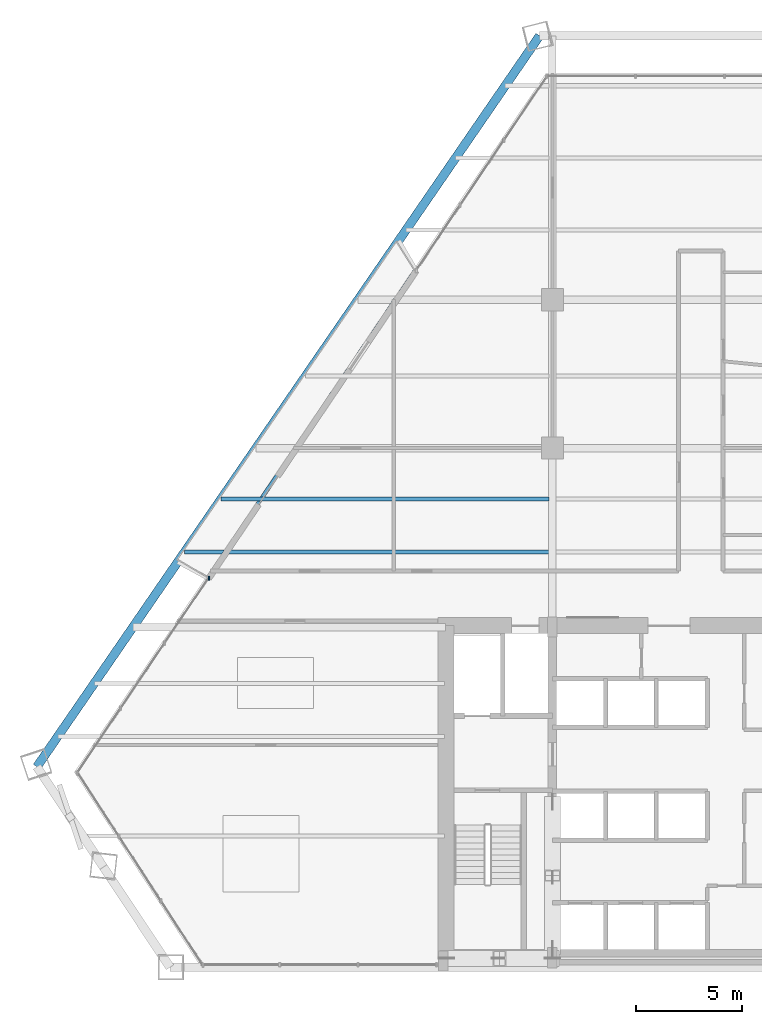
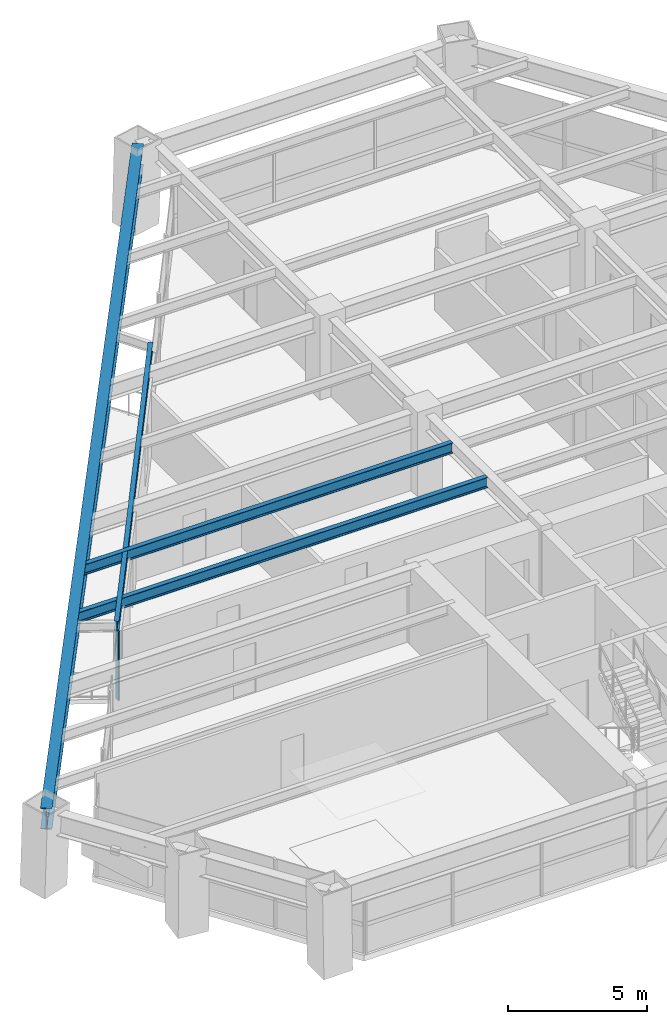
# One storey, part 4 of 14: 4 beams, 1 member, 1 element without a shape of its own.
"""IFC4 building model written with IfcOpenShell, lengths in metres."""

import ifcopenshell
import ifcopenshell.guid

model = None  # the IFC model being written
_history = None  # IfcOwnerHistory: only IFC2X3 demands one
_inside = {}  # id of a spatial element -> (the spatial element, [elements in it])
_under = {}  # id of a project, library or spatial element -> (it, [spatial elements below it])
_declared = {}  # id of a project -> (the project, [libraries it declares])
_typed = {}  # id of a type object -> (the type object, [elements of that type])
_made_of = {}  # id of a material, layer set ... -> (it, [elements and type objects made of it])


def new_model(schema):
    """Start an empty IFC model of exactly this schema.

    Asked for "IFC4X3", IfcOpenShell would pick the latest addendum, in which some entities
    have other attributes; the version numbers below select the first issue.
    IFC2X3 requires an IfcOwnerHistory on every rooted entity: one is made here for all.
    """
    global model, _history
    if schema == "IFC4X3":
        model = ifcopenshell.file(schema_version=(4, 3, 0, 0))
    else:
        model = ifcopenshell.file(schema=schema)
    _inside.clear()
    _under.clear()
    _declared.clear()
    _typed.clear()
    _made_of.clear()
    _history = None
    if model.schema == "IFC2X3":
        org = make("IfcOrganization", Name="unknown")
        user = make(
            "IfcPersonAndOrganization",
            ThePerson=make("IfcPerson", FamilyName="unknown"),
            TheOrganization=org,
        )
        app = make(
            "IfcApplication",
            ApplicationDeveloper=org,
            Version="unknown",
            ApplicationFullName="unknown",
            ApplicationIdentifier="unknown",
        )
        _history = make(
            "IfcOwnerHistory",
            OwningUser=user,
            OwningApplication=app,
            ChangeAction="ADDED",
            CreationDate=0,
        )
    return model


def make(cls, **values):
    """One entity of the class cls with the attributes given. An attribute that is None is left unset."""
    return model.create_entity(
        cls, **{name: value for name, value in values.items() if value is not None}
    )


def rooted(cls, **values):
    """An entity with a GlobalId (a new one), such as an element, a storey or a relation."""
    return make(cls, GlobalId=ifcopenshell.guid.new(), OwnerHistory=_history, **values)


def si_unit(unit_type, name, prefix=None):
    """IfcSIUnit, for example si_unit("LENGTHUNIT", "METRE", prefix="MILLI")."""
    return make("IfcSIUnit", UnitType=unit_type, Prefix=prefix, Name=name)


def assignment(units):
    """IfcUnitAssignment: the units of a project."""
    return None if units is None else make("IfcUnitAssignment", Units=units)


def point(xyz):
    """IfcCartesianPoint."""
    return None if xyz is None else make("IfcCartesianPoint", Coordinates=xyz)


def direction(xyz):
    """IfcDirection."""
    return None if xyz is None else make("IfcDirection", DirectionRatios=xyz)


def frame(location, z_axis=None, x_axis=None):
    """IfcAxis2Placement3D, a coordinate frame: its origin and axes. An axis left out is left unset."""
    return make(
        "IfcAxis2Placement3D",
        Location=point(location),
        Axis=direction(z_axis),
        RefDirection=direction(x_axis),
    )


def frame_2d(location, x_axis=None):
    """IfcAxis2Placement2D, a coordinate frame in the plane: its origin and x axis."""
    return make(
        "IfcAxis2Placement2D", Location=point(location), RefDirection=direction(x_axis)
    )


def origin():
    """The frame at (0, 0, 0) with its axes left unset."""
    return frame((0.0, 0.0, 0.0))


def origin_2d():
    """The frame at (0, 0) in the plane with its x axis left unset."""
    return frame_2d((0.0, 0.0))


def place(relative_to, where):
    """IfcLocalPlacement: puts the frame where relative to a parent placement (None: the world)."""
    return make(
        "IfcLocalPlacement", PlacementRelTo=relative_to, RelativePlacement=where
    )


def context(
    kind, dimensions, precision=None, world=None, true_north=None, identifier=None
):
    """IfcGeometricRepresentationContext, for example the 3D "Model" context."""
    return make(
        "IfcGeometricRepresentationContext",
        ContextIdentifier=identifier,
        ContextType=kind,
        CoordinateSpaceDimension=dimensions,
        Precision=precision,
        WorldCoordinateSystem=world,
        TrueNorth=true_north,
    )


def subcontext(parent, identifier, kind, view, scale=None):
    """IfcGeometricRepresentationSubContext, for example "Body" below "Model"."""
    return make(
        "IfcGeometricRepresentationSubContext",
        ContextIdentifier=identifier,
        ContextType=kind,
        ParentContext=parent,
        TargetScale=scale,
        TargetView=view,
    )


def project(units=None, contexts=None):
    """IfcProject with its units and contexts."""
    return rooted(
        "IfcProject",
        Name="project",
        RepresentationContexts=contexts,
        UnitsInContext=assignment(units),
    )


def spatial(cls, under=None, at=None, **own):
    """A site, building, storey or space (cls), placed at a placement, below another one or the project."""
    s = rooted(cls, ObjectPlacement=at, **own)
    if under is not None:
        _under.setdefault(under.id(), (under, []))[1].append(s)
    return s


def profile(cls, at=None, kind="AREA", **sizes):
    """A parametric profile (cls). Its sizes go by their IFC names, for example OverallWidth=200.0."""
    return make(cls, ProfileType=kind, Position=at, **sizes)


def rectangle(**sizes):
    """IfcRectangleProfileDef."""
    return profile("IfcRectangleProfileDef", **sizes)


def i_section(**sizes):
    """IfcIShapeProfileDef."""
    return profile("IfcIShapeProfileDef", **sizes)


def extrude(swept, where, along, depth):
    """IfcExtrudedAreaSolid: the profile swept, set in the frame where, extruded along a direction by depth."""
    return make(
        "IfcExtrudedAreaSolid",
        SweptArea=swept,
        Position=where,
        ExtrudedDirection=direction(along),
        Depth=depth,
    )


def shape(context_of_items, identifier, shape_type, items):
    """IfcShapeRepresentation: the items that make up one representation, for example the "Body"."""
    return make(
        "IfcShapeRepresentation",
        ContextOfItems=context_of_items,
        RepresentationIdentifier=identifier,
        RepresentationType=shape_type,
        Items=items,
    )


def source(mapping_origin, context_of_items, identifier, shape_type, items):
    """IfcRepresentationMap: a shape defined once, which mapped items show again and again."""
    return make(
        "IfcRepresentationMap",
        MappingOrigin=mapping_origin,
        MappedRepresentation=shape(context_of_items, identifier, shape_type, items),
    )


def transform(
    local_origin,
    x_axis=None,
    y_axis=None,
    z_axis=None,
    scale=None,
    scale2=None,
    scale3=None,
    uniform=True,
):
    """IfcCartesianTransformationOperator3D, or its non-uniform kind. x_axis, y_axis, z_axis: its Axis1, 2, 3."""
    if uniform:
        return make(
            "IfcCartesianTransformationOperator3D",
            Axis1=direction(x_axis),
            Axis2=direction(y_axis),
            LocalOrigin=point(local_origin),
            Scale=scale,
            Axis3=direction(z_axis),
        )
    return make(
        "IfcCartesianTransformationOperator3DnonUniform",
        Axis1=direction(x_axis),
        Axis2=direction(y_axis),
        LocalOrigin=point(local_origin),
        Scale=scale,
        Axis3=direction(z_axis),
        Scale2=scale2,
        Scale3=scale3,
    )


def mapped(mapping_source, mapping_target):
    """IfcMappedItem: shows the shape of a source again, moved by a transform."""
    return make(
        "IfcMappedItem", MappingSource=mapping_source, MappingTarget=mapping_target
    )


def material(Name=None, Category=None):
    """IfcMaterial."""
    return make("IfcMaterial", Name=Name, Category=Category)


def material_profile(
    of_material, cross_section, Name=None, Category=None, Priority=None
):
    """IfcMaterialProfile: a cross section and its material."""
    return make(
        "IfcMaterialProfile",
        Name=Name,
        Material=of_material,
        Profile=cross_section,
        Priority=Priority,
        Category=Category,
    )


def profile_set(profiles, Name=None, composite=None):
    """IfcMaterialProfileSet."""
    return make(
        "IfcMaterialProfileSet",
        Name=Name,
        MaterialProfiles=profiles,
        CompositeProfile=composite,
    )


def made_of(thing, what):
    """Note that an element or type object is made of a material, layer set ...; save() writes the relation."""
    if what is not None:
        _made_of.setdefault(what.id(), (what, []))[1].append(thing)
    return thing


def type_object(cls, material=None, **own):
    """A type object (cls), such as IfcWallType, which elements share."""
    return made_of(rooted(cls, **own), material)


def type_shapes(of_type, sources):
    """Give a type object the sources (RepresentationMaps) that its elements show as mapped items."""
    of_type.RepresentationMaps = sources


def element(
    cls,
    number,
    at=None,
    inside=None,
    cuts=None,
    type_object=None,
    material=None,
    context=None,
    identifier="Body",
    shape_type=None,
    held_by="IfcProductDefinitionShape",
    body=None,
    shapes=None,
    **own,
):
    """One element of the class cls, such as IfcWall. Its Tag is "e" and its number.

    at: its placement. inside: the storey or other place that contains it. cuts: it is an
    opening in that element (IfcRelVoidsElement). A single representation is given by context,
    identifier, shape_type and body (its items); several are given by shapes. held_by: the class
    of the entity that holds the representations. save() writes the other relations.
    """
    e = rooted(cls, Tag="e%d" % number, ObjectPlacement=at, **own)
    if body is not None:
        shapes = [shape(context, identifier, shape_type, body)]
    if shapes is not None:
        e.Representation = make(held_by, Representations=shapes)
    if inside is not None:
        _inside.setdefault(inside.id(), (inside, []))[1].append(e)
    if cuts is not None:
        rooted(
            "IfcRelVoidsElement", RelatingBuildingElement=cuts, RelatedOpeningElement=e
        )
    if type_object is not None:
        _typed.setdefault(type_object.id(), (type_object, []))[1].append(e)
    return made_of(e, material)


def aggregate(whole, parts):
    """IfcRelAggregates: a whole, such as a stair, and the parts it consists of."""
    return rooted("IfcRelAggregates", RelatingObject=whole, RelatedObjects=parts)


def save(model, path):
    """Write the relations noted so far, then the file.

    IfcRelAggregates (storeys below a building ...), IfcRelContainedInSpatialStructure (elements
    in a storey), IfcRelDefinesByType, IfcRelAssociatesMaterial and IfcRelDeclares: one each for
    every whole, place, type object, material and project.
    """
    for whole, parts in _under.values():
        aggregate(whole, parts)
    for where, things in _inside.values():
        rooted(
            "IfcRelContainedInSpatialStructure",
            RelatedElements=things,
            RelatingStructure=where,
        )
    for kind, things in _typed.values():
        rooted("IfcRelDefinesByType", RelatedObjects=things, RelatingType=kind)
    for what, things in _made_of.values():
        rooted("IfcRelAssociatesMaterial", RelatedObjects=things, RelatingMaterial=what)
    for by, libraries in _declared.values():
        rooted("IfcRelDeclares", RelatingContext=by, RelatedDefinitions=libraries)
    model.write(path)


model = new_model("IFC4")

# Units and contexts
model_context = context("Model", 3, precision=1e-05, world=origin(), true_north=direction((0.0, 1.0)))
body_context = subcontext(model_context, "Body", "Model", "MODEL_VIEW")
ifc_project = project(units=[si_unit("LENGTHUNIT", "METRE"), si_unit("AREAUNIT", "SQUARE_METRE"), si_unit("VOLUMEUNIT", "CUBIC_METRE"), si_unit("PLANEANGLEUNIT", "RADIAN"), si_unit("MASSUNIT", "GRAM", prefix="KILO")], contexts=[model_context])

# Site, building, storey
site_placement = place(None, origin())
site = spatial("IfcSite", under=ifc_project, at=site_placement, CompositionType="ELEMENT")
building_placement = place(site_placement, origin())
building = spatial("IfcBuilding", under=site, at=building_placement, Name="Varnakhor Terracotta Tower", CompositionType="ELEMENT")
storey_placement = place(building_placement, frame((0.0, 0.0, 87.699951171875)))
storey = spatial("IfcBuildingStorey", under=building, at=storey_placement, Name="L21", CompositionType="ELEMENT", Elevation=87.699951171875)

# Beams
ifc_material_1 = material(Name="Steel S355", Category="steel")
ifc_material_profile_1 = material_profile(ifc_material_1, i_section(OverallWidth=0.41796875, OverallDepth=0.927001953125, WebThickness=0.01904296875, FlangeThickness=0.031982421875, FilletRadius=0.01806640625, at=origin_2d()), Name="W36X231")
ifc_profile_set_1 = profile_set([ifc_material_profile_1], Name="Steel S355")
beam_type_1 = type_object("IfcBeamType", Name="BM-W36X231", PredefinedType="BEAM", material=ifc_profile_set_1)
shared_shape_1 = source(origin(), body_context, "Body", "SweptSolid", [
    extrude(i_section(OverallWidth=0.41796875, OverallDepth=0.927001953125, WebThickness=0.01904296875, FlangeThickness=0.031982421875, FilletRadius=0.01806640625, at=origin_2d()), origin(), (0.0, 0.0, 1.0), 41.86669921875),
])
beam_1_placement = place(storey_placement, frame((-6.10791015625, 43.959228515625, 2.986572265625), z_axis=(-0.566622121103, -0.823977773897, 0.0), x_axis=(0.823977773897, -0.566622121103, 0.0)))
element("IfcBeam", 1, at=beam_1_placement, inside=storey, type_object=beam_type_1, Name="L21 Perimeter Spandrel 6", PredefinedType="BEAM", context=body_context, shape_type="MappedRepresentation", body=[
    mapped(shared_shape_1, transform((0.0, 0.0, 0.0), scale=1.0)),
])
ifc_material_profile_2 = material_profile(ifc_material_1, i_section(OverallWidth=0.179931640625, OverallDepth=0.39990234375, WebThickness=0.008544921875, FlangeThickness=0.013427734375, FilletRadius=0.01806640625, at=origin_2d()), Name="IPE400")
ifc_profile_set_2 = profile_set([ifc_material_profile_2], Name="Steel S355")
beam_type_2 = type_object("IfcBeamType", Name="JST-IPE400", PredefinedType="JOIST", material=ifc_profile_set_2)
shared_shape_2 = source(origin(), body_context, "Body", "SweptSolid", [
    extrude(i_section(OverallWidth=0.179931640625, OverallDepth=0.39990234375, WebThickness=0.008544921875, FlangeThickness=0.013427734375, FilletRadius=0.01806640625, at=origin_2d()), origin(), (0.0, 0.0, 1.0), 17.570556640625),
])
beam_2_placement = place(storey_placement, frame((-11.953125, 32.9287109375, 3.25), z_axis=(-0.558740247821, -0.829342712915, 0.0), x_axis=(0.829342712915, -0.558740247821, 0.0)))
element("IfcBeam", 2, at=beam_2_placement, inside=storey, type_object=beam_type_2, Name="L21 Loggia Edge Beam 2", PredefinedType="JOIST", context=body_context, shape_type="MappedRepresentation", body=[
    mapped(shared_shape_2, transform((0.0, 0.0, 0.0), scale=1.0)),
])
ifc_material_profile_3 = material_profile(ifc_material_1, i_section(OverallWidth=0.19189453125, OverallDepth=0.462890625, WebThickness=0.010498046875, FlangeThickness=0.017578125, FilletRadius=0.01806640625, at=origin_2d()), Name="W18X60")
ifc_profile_set_3 = profile_set([ifc_material_profile_3], Name="Steel S355")
beam_type_3 = type_object("IfcBeamType", Name="JST-W18X60", PredefinedType="JOIST", material=ifc_profile_set_3)
shared_shape_3 = source(origin(), body_context, "Body", "SweptSolid", [
    extrude(i_section(OverallWidth=0.19189453125, OverallDepth=0.462890625, WebThickness=0.010498046875, FlangeThickness=0.017578125, FilletRadius=0.01806640625, at=origin_2d()), origin(), (0.0, 0.0, 1.0), 17.185302734375),
])
beam_3_placement = place(storey_placement, frame((-22.85888671875, 19.60009765625, 3.218505859375), z_axis=(1.0, 0.0, 0.0), x_axis=(0.0, 1.0, 0.0)))
element("IfcBeam", 3, at=beam_3_placement, inside=storey, type_object=beam_type_3, Name="L21 Composite Floor Joist 4-1", PredefinedType="JOIST", context=body_context, shape_type="MappedRepresentation", body=[
    mapped(shared_shape_3, transform((0.0, 0.0, 0.0), scale=1.0)),
])
shared_shape_4 = source(origin(), body_context, "Body", "SweptSolid", [
    extrude(i_section(OverallWidth=0.19189453125, OverallDepth=0.462890625, WebThickness=0.010498046875, FlangeThickness=0.017578125, FilletRadius=0.01806640625, at=origin_2d()), origin(), (0.0, 0.0, 1.0), 15.466064453125),
])
beam_4_placement = place(storey_placement, frame((-21.1396484375, 22.10009765625, 3.218505859375), z_axis=(1.0, 0.0, 0.0), x_axis=(0.0, 1.0, 0.0)))
element("IfcBeam", 4, at=beam_4_placement, inside=storey, type_object=beam_type_3, Name="L21 Composite Floor Joist 5-1", PredefinedType="JOIST", context=body_context, shape_type="MappedRepresentation", body=[
    mapped(shared_shape_4, transform((0.0, 0.0, 0.0), scale=1.0)),
])

# Curtain wall, member
ifc_material_2 = material(Name="Anodised Aluminium Curtain Wall System", Category="aluminium")
curtain_wall_type = type_object("IfcCurtainWallType", Name="CW-SYS-LOW-OFFICE", PredefinedType="NOTDEFINED", material=ifc_material_2)
curtain_wall_placement = place(storey_placement, origin())
curtain_wall = element("IfcCurtainWall", 5, at=curtain_wall_placement, inside=storey, type_object=curtain_wall_type, Name="L21 W Facet Curtain Wall 1", PredefinedType="NOTDEFINED")
ifc_material_3 = material(Name="Anodised Aluminium 6063-T6", Category="aluminium")
ifc_material_profile_4 = material_profile(ifc_material_3, rectangle(XDim=0.074951171875, YDim=0.18505859375, at=origin_2d()), Name="ALU MULLION 75x185")
ifc_profile_set_4 = profile_set([ifc_material_profile_4], Name="Anodised Aluminium 6063-T6")
member_type = type_object("IfcMemberType", Name="CWM-02", PredefinedType="MULLION", material=ifc_profile_set_4)
shared_shape_5 = source(origin(), body_context, "Body", "SweptSolid", [
    extrude(rectangle(XDim=0.074951171875, YDim=0.18505859375, at=origin_2d()), origin(), (0.0, 0.0, 1.0), 3.030029296875),
])
type_shapes(member_type, [shared_shape_5])
member_placement = place(storey_placement, frame((-21.716796875, 18.359130859375, 0.0), z_axis=(0.0, 0.0, 1.0), x_axis=(1.0, 0.0, 0.0)))
member = element("IfcMember", 6, at=member_placement, type_object=member_type, Name="L21 W Loggia Jamb Closure Mullion 1", PredefinedType="MULLION", context=body_context, shape_type="MappedRepresentation", body=[
    mapped(shared_shape_5, transform((0.0, 0.0, 0.0), scale=1.0)),
])
aggregate(curtain_wall, [member])

save(model, "model.ifc")
